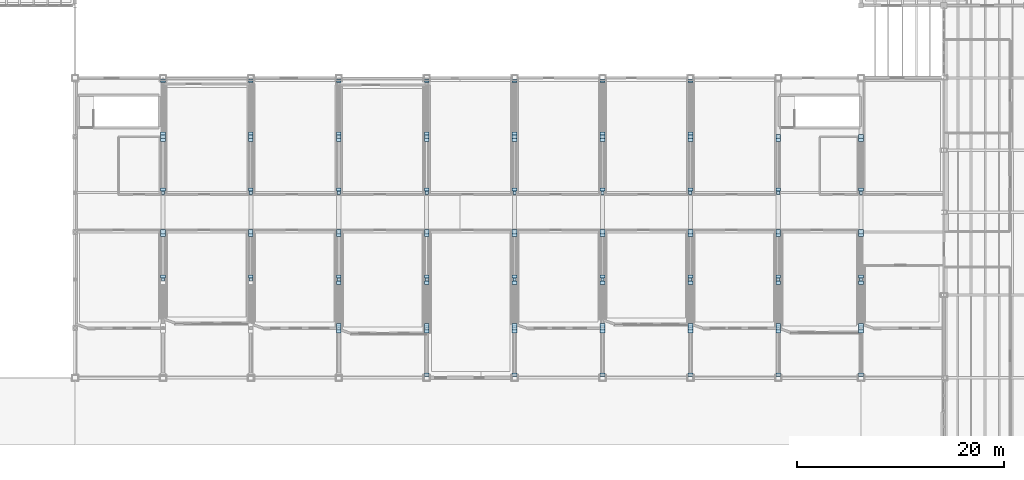
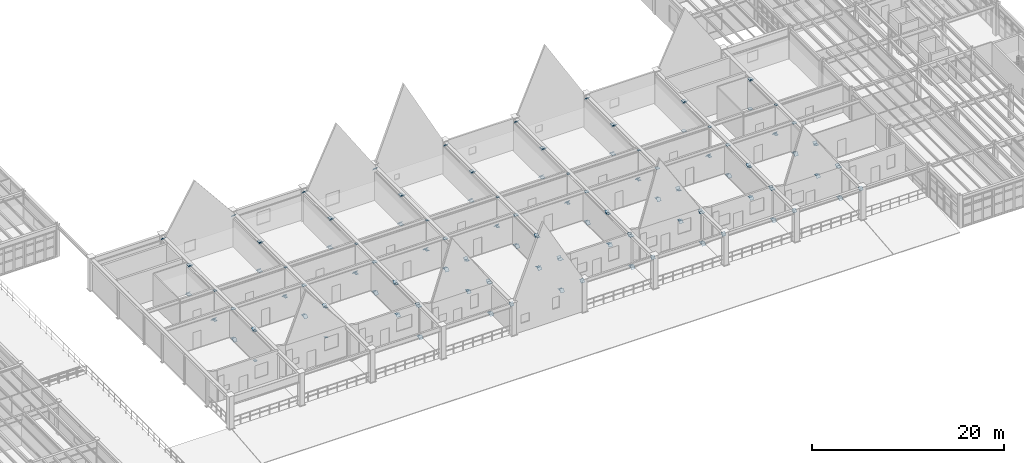
# One storey, part 56 of 78: 163 plates.
"""IFC4 building model written with IfcOpenShell, lengths in metres."""

import ifcopenshell
import ifcopenshell.guid

model = None  # the IFC model being written
_history = None  # IfcOwnerHistory: only IFC2X3 demands one
_inside = {}  # id of a spatial element -> (the spatial element, [elements in it])
_under = {}  # id of a project, library or spatial element -> (it, [spatial elements below it])
_declared = {}  # id of a project -> (the project, [libraries it declares])
_typed = {}  # id of a type object -> (the type object, [elements of that type])
_made_of = {}  # id of a material, layer set ... -> (it, [elements and type objects made of it])


def new_model(schema):
    """Start an empty IFC model of exactly this schema.

    Asked for "IFC4X3", IfcOpenShell would pick the latest addendum, in which some entities
    have other attributes; the version numbers below select the first issue.
    IFC2X3 requires an IfcOwnerHistory on every rooted entity: one is made here for all.
    """
    global model, _history
    if schema == "IFC4X3":
        model = ifcopenshell.file(schema_version=(4, 3, 0, 0))
    else:
        model = ifcopenshell.file(schema=schema)
    _inside.clear()
    _under.clear()
    _declared.clear()
    _typed.clear()
    _made_of.clear()
    _history = None
    if model.schema == "IFC2X3":
        org = make("IfcOrganization", Name="unknown")
        user = make(
            "IfcPersonAndOrganization",
            ThePerson=make("IfcPerson", FamilyName="unknown"),
            TheOrganization=org,
        )
        app = make(
            "IfcApplication",
            ApplicationDeveloper=org,
            Version="unknown",
            ApplicationFullName="unknown",
            ApplicationIdentifier="unknown",
        )
        _history = make(
            "IfcOwnerHistory",
            OwningUser=user,
            OwningApplication=app,
            ChangeAction="ADDED",
            CreationDate=0,
        )
    return model


def make(cls, **values):
    """One entity of the class cls with the attributes given. An attribute that is None is left unset."""
    return model.create_entity(
        cls, **{name: value for name, value in values.items() if value is not None}
    )


def rooted(cls, **values):
    """An entity with a GlobalId (a new one), such as an element, a storey or a relation."""
    return make(cls, GlobalId=ifcopenshell.guid.new(), OwnerHistory=_history, **values)


def si_unit(unit_type, name, prefix=None):
    """IfcSIUnit, for example si_unit("LENGTHUNIT", "METRE", prefix="MILLI")."""
    return make("IfcSIUnit", UnitType=unit_type, Prefix=prefix, Name=name)


def assignment(units):
    """IfcUnitAssignment: the units of a project."""
    return None if units is None else make("IfcUnitAssignment", Units=units)


def point(xyz):
    """IfcCartesianPoint."""
    return None if xyz is None else make("IfcCartesianPoint", Coordinates=xyz)


def direction(xyz):
    """IfcDirection."""
    return None if xyz is None else make("IfcDirection", DirectionRatios=xyz)


def frame(location, z_axis=None, x_axis=None):
    """IfcAxis2Placement3D, a coordinate frame: its origin and axes. An axis left out is left unset."""
    return make(
        "IfcAxis2Placement3D",
        Location=point(location),
        Axis=direction(z_axis),
        RefDirection=direction(x_axis),
    )


def frame_2d(location, x_axis=None):
    """IfcAxis2Placement2D, a coordinate frame in the plane: its origin and x axis."""
    return make(
        "IfcAxis2Placement2D", Location=point(location), RefDirection=direction(x_axis)
    )


def origin():
    """The frame at (0, 0, 0) with its axes left unset."""
    return frame((0.0, 0.0, 0.0))


def origin_2d():
    """The frame at (0, 0) in the plane with its x axis left unset."""
    return frame_2d((0.0, 0.0))


def place(relative_to, where):
    """IfcLocalPlacement: puts the frame where relative to a parent placement (None: the world)."""
    return make(
        "IfcLocalPlacement", PlacementRelTo=relative_to, RelativePlacement=where
    )


def context(
    kind, dimensions, precision=None, world=None, true_north=None, identifier=None
):
    """IfcGeometricRepresentationContext, for example the 3D "Model" context."""
    return make(
        "IfcGeometricRepresentationContext",
        ContextIdentifier=identifier,
        ContextType=kind,
        CoordinateSpaceDimension=dimensions,
        Precision=precision,
        WorldCoordinateSystem=world,
        TrueNorth=true_north,
    )


def subcontext(parent, identifier, kind, view, scale=None):
    """IfcGeometricRepresentationSubContext, for example "Body" below "Model"."""
    return make(
        "IfcGeometricRepresentationSubContext",
        ContextIdentifier=identifier,
        ContextType=kind,
        ParentContext=parent,
        TargetScale=scale,
        TargetView=view,
    )


def project(units=None, contexts=None):
    """IfcProject with its units and contexts."""
    return rooted(
        "IfcProject",
        Name="project",
        RepresentationContexts=contexts,
        UnitsInContext=assignment(units),
    )


def spatial(cls, under=None, at=None, **own):
    """A site, building, storey or space (cls), placed at a placement, below another one or the project."""
    s = rooted(cls, ObjectPlacement=at, **own)
    if under is not None:
        _under.setdefault(under.id(), (under, []))[1].append(s)
    return s


def profile(cls, at=None, kind="AREA", **sizes):
    """A parametric profile (cls). Its sizes go by their IFC names, for example OverallWidth=200.0."""
    return make(cls, ProfileType=kind, Position=at, **sizes)


def rectangle(**sizes):
    """IfcRectangleProfileDef."""
    return profile("IfcRectangleProfileDef", **sizes)


def extrude(swept, where, along, depth):
    """IfcExtrudedAreaSolid: the profile swept, set in the frame where, extruded along a direction by depth."""
    return make(
        "IfcExtrudedAreaSolid",
        SweptArea=swept,
        Position=where,
        ExtrudedDirection=direction(along),
        Depth=depth,
    )


def shape(context_of_items, identifier, shape_type, items):
    """IfcShapeRepresentation: the items that make up one representation, for example the "Body"."""
    return make(
        "IfcShapeRepresentation",
        ContextOfItems=context_of_items,
        RepresentationIdentifier=identifier,
        RepresentationType=shape_type,
        Items=items,
    )


def material(Name=None, Category=None):
    """IfcMaterial."""
    return make("IfcMaterial", Name=Name, Category=Category)


def material_profile(
    of_material, cross_section, Name=None, Category=None, Priority=None
):
    """IfcMaterialProfile: a cross section and its material."""
    return make(
        "IfcMaterialProfile",
        Name=Name,
        Material=of_material,
        Profile=cross_section,
        Priority=Priority,
        Category=Category,
    )


def profile_set(profiles, Name=None, composite=None):
    """IfcMaterialProfileSet."""
    return make(
        "IfcMaterialProfileSet",
        Name=Name,
        MaterialProfiles=profiles,
        CompositeProfile=composite,
    )


def made_of(thing, what):
    """Note that an element or type object is made of a material, layer set ...; save() writes the relation."""
    if what is not None:
        _made_of.setdefault(what.id(), (what, []))[1].append(thing)
    return thing


def type_object(cls, material=None, **own):
    """A type object (cls), such as IfcWallType, which elements share."""
    return made_of(rooted(cls, **own), material)


def element(
    cls,
    number,
    at=None,
    inside=None,
    cuts=None,
    type_object=None,
    material=None,
    context=None,
    identifier="Body",
    shape_type=None,
    held_by="IfcProductDefinitionShape",
    body=None,
    shapes=None,
    **own,
):
    """One element of the class cls, such as IfcWall. Its Tag is "e" and its number.

    at: its placement. inside: the storey or other place that contains it. cuts: it is an
    opening in that element (IfcRelVoidsElement). A single representation is given by context,
    identifier, shape_type and body (its items); several are given by shapes. held_by: the class
    of the entity that holds the representations. save() writes the other relations.
    """
    e = rooted(cls, Tag="e%d" % number, ObjectPlacement=at, **own)
    if body is not None:
        shapes = [shape(context, identifier, shape_type, body)]
    if shapes is not None:
        e.Representation = make(held_by, Representations=shapes)
    if inside is not None:
        _inside.setdefault(inside.id(), (inside, []))[1].append(e)
    if cuts is not None:
        rooted(
            "IfcRelVoidsElement", RelatingBuildingElement=cuts, RelatedOpeningElement=e
        )
    if type_object is not None:
        _typed.setdefault(type_object.id(), (type_object, []))[1].append(e)
    return made_of(e, material)


def aggregate(whole, parts):
    """IfcRelAggregates: a whole, such as a stair, and the parts it consists of."""
    return rooted("IfcRelAggregates", RelatingObject=whole, RelatedObjects=parts)


def save(model, path):
    """Write the relations noted so far, then the file.

    IfcRelAggregates (storeys below a building ...), IfcRelContainedInSpatialStructure (elements
    in a storey), IfcRelDefinesByType, IfcRelAssociatesMaterial and IfcRelDeclares: one each for
    every whole, place, type object, material and project.
    """
    for whole, parts in _under.values():
        aggregate(whole, parts)
    for where, things in _inside.values():
        rooted(
            "IfcRelContainedInSpatialStructure",
            RelatedElements=things,
            RelatingStructure=where,
        )
    for kind, things in _typed.values():
        rooted("IfcRelDefinesByType", RelatedObjects=things, RelatingType=kind)
    for what, things in _made_of.values():
        rooted("IfcRelAssociatesMaterial", RelatedObjects=things, RelatingMaterial=what)
    for by, libraries in _declared.values():
        rooted("IfcRelDeclares", RelatingContext=by, RelatedDefinitions=libraries)
    model.write(path)


model = new_model("IFC4")

# Units and contexts
model_context = context("Model", 3, precision=1e-05, world=origin(), true_north=direction((0.0, 1.0)))
body_context = subcontext(model_context, "Body", "Model", "MODEL_VIEW")
ifc_project = project(units=[si_unit("LENGTHUNIT", "METRE"), si_unit("AREAUNIT", "SQUARE_METRE"), si_unit("VOLUMEUNIT", "CUBIC_METRE"), si_unit("PLANEANGLEUNIT", "RADIAN"), si_unit("MASSUNIT", "GRAM", prefix="KILO"), si_unit("THERMODYNAMICTEMPERATUREUNIT", "KELVIN"), si_unit("POWERUNIT", "WATT")], contexts=[model_context])

# Site, building, storey
site_placement = place(None, origin())
site = spatial("IfcSite", under=ifc_project, at=site_placement, CompositionType="ELEMENT")
building_placement = place(site_placement, origin())
building = spatial("IfcBuilding", under=site, at=building_placement, Name="Zhenchuan Central Fire Station", CompositionType="ELEMENT")
storey_placement = place(building_placement, frame((0.0, 0.0, 5.85009765625)))
storey = spatial("IfcBuildingStorey", under=building, at=storey_placement, Name="L02", CompositionType="ELEMENT", Elevation=5.85009765625)

# Plates
ifc_material = material(Name="Steel Q355B", Category="steel")
ifc_material_profile_1 = material_profile(ifc_material, rectangle(XDim=0.320068359375, YDim=0.320068359375, at=origin_2d()), Name="PL 320x320x20")
ifc_profile_set_1 = profile_set([ifc_material_profile_1], Name="Steel Q355B")
plate_type_1 = type_object("IfcPlateType", Name="PL-CAP20", PredefinedType="SHEET", material=ifc_profile_set_1)
for number, where, z_axis, x_axis, name in (
    (1, (64.5, 16.0, -0.216064453125), (0.0, 0.0, 1.0), (1.0, 0.0, 0.0), "Transfer Truss TT-02 Web Post 2 end cap plate A"),
    (2, (64.5, 16.0, 3.595947265625), (0.0, 0.0, 1.0), (1.0, 0.0, 0.0), "Transfer Truss TT-02 Web Post 2 end cap plate B"),
    (3, (64.5, 24.39990234375, -0.216064453125), (0.0, 0.0, 1.0), (1.0, 0.0, 0.0), "Transfer Truss TT-02 Web Post 4 end cap plate A"),
    (4, (64.5, 24.39990234375, 3.595947265625), (0.0, 0.0, 1.0), (1.0, 0.0, 0.0), "Transfer Truss TT-02 Web Post 4 end cap plate B"),
    (5, (73.0, 16.0, -0.216064453125), (0.0, 0.0, 1.0), (1.0, 0.0, 0.0), "Transfer Truss TT-03 Web Post 2 end cap plate A"),
    (6, (73.0, 16.0, 3.595947265625), (0.0, 0.0, 1.0), (1.0, 0.0, 0.0), "Transfer Truss TT-03 Web Post 2 end cap plate B"),
    (7, (73.0, 24.39990234375, -0.216064453125), (0.0, 0.0, 1.0), (1.0, 0.0, 0.0), "Transfer Truss TT-03 Web Post 4 end cap plate A"),
    (8, (73.0, 24.39990234375, 3.595947265625), (0.0, 0.0, 1.0), (1.0, 0.0, 0.0), "Transfer Truss TT-03 Web Post 4 end cap plate B"),
    (9, (81.5, 16.0, -0.216064453125), (0.0, 0.0, 1.0), (1.0, 0.0, 0.0), "Transfer Truss TT-04 Web Post 2 end cap plate A"),
    (10, (81.5, 16.0, 3.595947265625), (0.0, 0.0, 1.0), (1.0, 0.0, 0.0), "Transfer Truss TT-04 Web Post 2 end cap plate B"),
    (11, (81.5, 24.39990234375, -0.216064453125), (0.0, 0.0, 1.0), (1.0, 0.0, 0.0), "Transfer Truss TT-04 Web Post 4 end cap plate A"),
    (12, (81.5, 24.39990234375, 3.595947265625), (0.0, 0.0, 1.0), (1.0, 0.0, 0.0), "Transfer Truss TT-04 Web Post 4 end cap plate B"),
    (13, (90.0, 16.0, -0.216064453125), (0.0, 0.0, 1.0), (1.0, 0.0, 0.0), "Transfer Truss TT-05 Web Post 2 end cap plate A"),
    (14, (90.0, 16.0, 3.595947265625), (0.0, 0.0, 1.0), (1.0, 0.0, 0.0), "Transfer Truss TT-05 Web Post 2 end cap plate B"),
    (15, (90.0, 24.39990234375, -0.216064453125), (0.0, 0.0, 1.0), (1.0, 0.0, 0.0), "Transfer Truss TT-05 Web Post 4 end cap plate A"),
    (16, (90.0, 24.39990234375, 3.595947265625), (0.0, 0.0, 1.0), (1.0, 0.0, 0.0), "Transfer Truss TT-05 Web Post 4 end cap plate B"),
    (17, (98.5, 16.0, -0.216064453125), (0.0, 0.0, 1.0), (1.0, 0.0, 0.0), "Transfer Truss TT-06 Web Post 2 end cap plate A"),
    (18, (98.5, 16.0, 3.595947265625), (0.0, 0.0, 1.0), (1.0, 0.0, 0.0), "Transfer Truss TT-06 Web Post 2 end cap plate B"),
    (19, (98.5, 24.39990234375, -0.216064453125), (0.0, 0.0, 1.0), (1.0, 0.0, 0.0), "Transfer Truss TT-06 Web Post 4 end cap plate A"),
    (20, (98.5, 24.39990234375, 3.595947265625), (0.0, 0.0, 1.0), (1.0, 0.0, 0.0), "Transfer Truss TT-06 Web Post 4 end cap plate B"),
    (21, (107.0, 16.0, -0.216064453125), (0.0, 0.0, 1.0), (1.0, 0.0, 0.0), "Transfer Truss TT-07 Web Post 2 end cap plate A"),
    (22, (107.0, 16.0, 3.595947265625), (0.0, 0.0, 1.0), (1.0, 0.0, 0.0), "Transfer Truss TT-07 Web Post 2 end cap plate B"),
    (23, (107.0, 24.39990234375, -0.216064453125), (0.0, 0.0, 1.0), (1.0, 0.0, 0.0), "Transfer Truss TT-07 Web Post 4 end cap plate A"),
    (24, (107.0, 24.39990234375, 3.595947265625), (0.0, 0.0, 1.0), (1.0, 0.0, 0.0), "Transfer Truss TT-07 Web Post 4 end cap plate B"),
    (25, (115.5, 16.0, -0.216064453125), (0.0, 0.0, 1.0), (1.0, 0.0, 0.0), "Transfer Truss TT-08 Web Post 2 end cap plate A"),
    (26, (115.5, 16.0, 3.595947265625), (0.0, 0.0, 1.0), (1.0, 0.0, 0.0), "Transfer Truss TT-08 Web Post 2 end cap plate B"),
    (27, (115.5, 24.39990234375, -0.216064453125), (0.0, 0.0, 1.0), (1.0, 0.0, 0.0), "Transfer Truss TT-08 Web Post 4 end cap plate A"),
    (28, (115.5, 24.39990234375, 3.595947265625), (0.0, 0.0, 1.0), (1.0, 0.0, 0.0), "Transfer Truss TT-08 Web Post 4 end cap plate B"),
    (29, (124.0, 16.0, -0.216064453125), (0.0, 0.0, 1.0), (1.0, 0.0, 0.0), "Transfer Truss TT-09 Web Post 2 end cap plate A"),
    (30, (124.0, 16.0, 3.595947265625), (0.0, 0.0, 1.0), (1.0, 0.0, 0.0), "Transfer Truss TT-09 Web Post 2 end cap plate B"),
    (31, (124.0, 24.39990234375, -0.216064453125), (0.0, 0.0, 1.0), (1.0, 0.0, 0.0), "Transfer Truss TT-09 Web Post 4 end cap plate A"),
    (32, (124.0, 24.39990234375, 3.595947265625), (0.0, 0.0, 1.0), (1.0, 0.0, 0.0), "Transfer Truss TT-09 Web Post 4 end cap plate B"),
    (33, (132.0, 16.0, -0.216064453125), (0.0, 0.0, 1.0), (1.0, 0.0, 0.0), "Transfer Truss TT-10 Web Post 2 end cap plate A"),
    (34, (132.0, 16.0, 3.595947265625), (0.0, 0.0, 1.0), (1.0, 0.0, 0.0), "Transfer Truss TT-10 Web Post 2 end cap plate B"),
    (35, (132.0, 24.39990234375, -0.216064453125), (0.0, 0.0, 1.0), (1.0, 0.0, 0.0), "Transfer Truss TT-10 Web Post 4 end cap plate A"),
    (36, (132.0, 24.39990234375, 3.595947265625), (0.0, 0.0, 1.0), (1.0, 0.0, 0.0), "Transfer Truss TT-10 Web Post 4 end cap plate B"),
):
    element("IfcPlate", number, at=place(storey_placement, frame(where, z_axis=z_axis, x_axis=x_axis)), inside=storey, type_object=plate_type_1, Name=name, PredefinedType="SHEET", context=body_context, shape_type="SweptSolid", body=[
        extrude(rectangle(XDim=0.320068359375, YDim=0.320068359375, at=origin_2d()), origin(), (0.0, 0.0, 1.0), 0.02001953125),
    ])
ifc_material_profile_2 = material_profile(ifc_material, rectangle(XDim=0.4599609375, YDim=0.4599609375, at=origin_2d()), Name="PL 460x460x28")
ifc_profile_set_2 = profile_set([ifc_material_profile_2], Name="Steel Q355B")
plate_type_2 = type_object("IfcPlateType", Name="PL-GUS28-INT", PredefinedType="SHEET", material=ifc_profile_set_2)
for number, where, z_axis, x_axis, name in (
    (37, (64.5, 20.60009765625, -0.216064453125), (0.0, 0.0, 1.0), (1.0, 0.0, 0.0), "Transfer Truss TT-02 Web Post 3 end cap plate A"),
    (38, (64.5, 20.60009765625, 3.595947265625), (0.0, 0.0, 1.0), (1.0, 0.0, 0.0), "Transfer Truss TT-02 Web Post 3 end cap plate B"),
    (39, (64.5, 29.800048828125, -0.216064453125), (0.0, 0.0, 1.0), (1.0, 0.0, 0.0), "Transfer Truss TT-02 Web Post 5 end cap plate A"),
    (40, (64.5, 29.800048828125, 3.595947265625), (0.0, 0.0, 1.0), (1.0, 0.0, 0.0), "Transfer Truss TT-02 Web Post 5 end cap plate B"),
    (41, (64.5, 16.288330078125, 3.61083984375), (0.0, 0.731055268243, -0.68231825036), (-1.0, 0.0, 0.0), "Transfer Truss TT-02 Web Diagonal 3 end cap plate A"),
    (42, (64.5, 20.297119140625, -0.197265625), (0.0, 0.719191390085, -0.694812020929), (-1.0, 0.0, 0.0), "Transfer Truss TT-02 Web Diagonal 3 end cap plate B"),
    (43, (64.5, 24.6875, -0.2099609375), (0.0, 0.782059551443, 0.623203705056), (-1.0, 0.0, 0.0), "Transfer Truss TT-02 Web Diagonal 5 end cap plate A"),
    (44, (64.5, 29.496826171875, 3.597412109375), (0.0, 0.782059551443, 0.623203705056), (-1.0, 0.0, 0.0), "Transfer Truss TT-02 Web Diagonal 5 end cap plate B"),
    (45, (64.5, 30.087158203125, -0.209716796875), (0.0, 0.802910201746, 0.596099998266), (-1.0, 0.0, 0.0), "Transfer Truss TT-02 Web Diagonal 6 end cap plate A"),
    (46, (64.5, 35.19677734375, 3.597412109375), (0.0, 0.802910201746, 0.596099998266), (-1.0, 0.0, 0.0), "Transfer Truss TT-02 Web Diagonal 6 end cap plate B"),
    (47, (73.0, 20.60009765625, -0.216064453125), (0.0, 0.0, 1.0), (1.0, 0.0, 0.0), "Transfer Truss TT-03 Web Post 3 end cap plate A"),
    (48, (73.0, 20.60009765625, 3.595947265625), (0.0, 0.0, 1.0), (1.0, 0.0, 0.0), "Transfer Truss TT-03 Web Post 3 end cap plate B"),
    (49, (73.0, 29.800048828125, -0.216064453125), (0.0, 0.0, 1.0), (1.0, 0.0, 0.0), "Transfer Truss TT-03 Web Post 5 end cap plate A"),
    (50, (73.0, 29.800048828125, 3.595947265625), (0.0, 0.0, 1.0), (1.0, 0.0, 0.0), "Transfer Truss TT-03 Web Post 5 end cap plate B"),
    (51, (73.0, 16.288330078125, 3.61083984375), (0.0, 0.731055268243, -0.68231825036), (-1.0, 0.0, 0.0), "Transfer Truss TT-03 Web Diagonal 3 end cap plate A"),
    (52, (73.0, 20.297119140625, -0.197265625), (0.0, 0.719191390085, -0.694812020929), (-1.0, 0.0, 0.0), "Transfer Truss TT-03 Web Diagonal 3 end cap plate B"),
    (53, (73.0, 24.6875, -0.2099609375), (0.0, 0.782059551443, 0.623203705056), (-1.0, 0.0, 0.0), "Transfer Truss TT-03 Web Diagonal 5 end cap plate A"),
    (54, (73.0, 29.496826171875, 3.597412109375), (0.0, 0.782059551443, 0.623203705056), (-1.0, 0.0, 0.0), "Transfer Truss TT-03 Web Diagonal 5 end cap plate B"),
    (55, (73.0, 30.087158203125, -0.209716796875), (0.0, 0.802910201746, 0.596099998266), (-1.0, 0.0, 0.0), "Transfer Truss TT-03 Web Diagonal 6 end cap plate A"),
    (56, (73.0, 35.19677734375, 3.597412109375), (0.0, 0.802910201746, 0.596099998266), (-1.0, 0.0, 0.0), "Transfer Truss TT-03 Web Diagonal 6 end cap plate B"),
    (57, (81.5, 11.300048828125, -0.216064453125), (0.0, 0.0, 1.0), (1.0, 0.0, 0.0), "Transfer Truss TT-04 Web Post 1 end cap plate A"),
    (58, (81.5, 11.300048828125, 3.595947265625), (0.0, 0.0, 1.0), (1.0, 0.0, 0.0), "Transfer Truss TT-04 Web Post 1 end cap plate B"),
    (59, (81.5, 20.60009765625, -0.216064453125), (0.0, 0.0, 1.0), (1.0, 0.0, 0.0), "Transfer Truss TT-04 Web Post 3 end cap plate A"),
    (60, (81.5, 20.60009765625, 3.595947265625), (0.0, 0.0, 1.0), (1.0, 0.0, 0.0), "Transfer Truss TT-04 Web Post 3 end cap plate B"),
    (61, (81.5, 29.800048828125, -0.216064453125), (0.0, 0.0, 1.0), (1.0, 0.0, 0.0), "Transfer Truss TT-04 Web Post 5 end cap plate A"),
    (62, (81.5, 29.800048828125, 3.595947265625), (0.0, 0.0, 1.0), (1.0, 0.0, 0.0), "Transfer Truss TT-04 Web Post 5 end cap plate B"),
    (63, (81.5, 10.9970703125, -0.197509765625), (0.0, 0.742688444175, -0.669637121797), (-1.0, 0.0, 0.0), "Transfer Truss TT-04 Web Diagonal 1 end cap plate B"),
    (64, (81.5, 11.58837890625, 3.61083984375), (0.0, 0.731055268243, -0.68231825036), (-1.0, 0.0, 0.0), "Transfer Truss TT-04 Web Diagonal 2 end cap plate A"),
    (65, (81.5, 15.697021484375, -0.197265625), (0.0, 0.731055268243, -0.68231825036), (-1.0, 0.0, 0.0), "Transfer Truss TT-04 Web Diagonal 2 end cap plate B"),
    (66, (81.5, 16.288330078125, 3.61083984375), (0.0, 0.731055268243, -0.68231825036), (-1.0, 0.0, 0.0), "Transfer Truss TT-04 Web Diagonal 3 end cap plate A"),
    (67, (81.5, 20.297119140625, -0.197265625), (0.0, 0.719191390085, -0.694812020929), (-1.0, 0.0, 0.0), "Transfer Truss TT-04 Web Diagonal 3 end cap plate B"),
    (68, (81.5, 24.6875, -0.2099609375), (0.0, 0.782059551443, 0.623203705056), (-1.0, 0.0, 0.0), "Transfer Truss TT-04 Web Diagonal 5 end cap plate A"),
    (69, (81.5, 29.496826171875, 3.597412109375), (0.0, 0.782059551443, 0.623203705056), (-1.0, 0.0, 0.0), "Transfer Truss TT-04 Web Diagonal 5 end cap plate B"),
    (70, (81.5, 30.087158203125, -0.209716796875), (0.0, 0.802910201746, 0.596099998266), (-1.0, 0.0, 0.0), "Transfer Truss TT-04 Web Diagonal 6 end cap plate A"),
    (71, (81.5, 35.19677734375, 3.597412109375), (0.0, 0.802910201746, 0.596099998266), (-1.0, 0.0, 0.0), "Transfer Truss TT-04 Web Diagonal 6 end cap plate B"),
    (72, (90.0, 11.300048828125, -0.216064453125), (0.0, 0.0, 1.0), (1.0, 0.0, 0.0), "Transfer Truss TT-05 Web Post 1 end cap plate A"),
    (73, (90.0, 11.300048828125, 3.595947265625), (0.0, 0.0, 1.0), (1.0, 0.0, 0.0), "Transfer Truss TT-05 Web Post 1 end cap plate B"),
    (74, (90.0, 20.60009765625, -0.216064453125), (0.0, 0.0, 1.0), (1.0, 0.0, 0.0), "Transfer Truss TT-05 Web Post 3 end cap plate A"),
    (75, (90.0, 20.60009765625, 3.595947265625), (0.0, 0.0, 1.0), (1.0, 0.0, 0.0), "Transfer Truss TT-05 Web Post 3 end cap plate B"),
    (76, (90.0, 29.800048828125, -0.216064453125), (0.0, 0.0, 1.0), (1.0, 0.0, 0.0), "Transfer Truss TT-05 Web Post 5 end cap plate A"),
    (77, (90.0, 29.800048828125, 3.595947265625), (0.0, 0.0, 1.0), (1.0, 0.0, 0.0), "Transfer Truss TT-05 Web Post 5 end cap plate B"),
    (78, (90.0, 6.7880859375, 3.610595703125), (0.0, 0.742688444175, -0.669637121797), (-1.0, 0.0, 0.0), "Transfer Truss TT-05 Web Diagonal 1 end cap plate A"),
    (79, (90.0, 10.9970703125, -0.197509765625), (0.0, 0.742688444175, -0.669637121797), (-1.0, 0.0, 0.0), "Transfer Truss TT-05 Web Diagonal 1 end cap plate B"),
    (80, (90.0, 11.58837890625, 3.61083984375), (0.0, 0.731055268243, -0.68231825036), (-1.0, 0.0, 0.0), "Transfer Truss TT-05 Web Diagonal 2 end cap plate A"),
    (81, (90.0, 15.697021484375, -0.197265625), (0.0, 0.731055268243, -0.68231825036), (-1.0, 0.0, 0.0), "Transfer Truss TT-05 Web Diagonal 2 end cap plate B"),
    (82, (90.0, 16.288330078125, 3.61083984375), (0.0, 0.731055268243, -0.68231825036), (-1.0, 0.0, 0.0), "Transfer Truss TT-05 Web Diagonal 3 end cap plate A"),
    (83, (90.0, 20.297119140625, -0.197265625), (0.0, 0.719191390085, -0.694812020929), (-1.0, 0.0, 0.0), "Transfer Truss TT-05 Web Diagonal 3 end cap plate B"),
    (84, (90.0, 24.6875, -0.2099609375), (0.0, 0.782059551443, 0.623203705056), (-1.0, 0.0, 0.0), "Transfer Truss TT-05 Web Diagonal 5 end cap plate A"),
    (85, (90.0, 29.496826171875, 3.597412109375), (0.0, 0.782059551443, 0.623203705056), (-1.0, 0.0, 0.0), "Transfer Truss TT-05 Web Diagonal 5 end cap plate B"),
    (86, (90.0, 30.087158203125, -0.209716796875), (0.0, 0.802910201746, 0.596099998266), (-1.0, 0.0, 0.0), "Transfer Truss TT-05 Web Diagonal 6 end cap plate A"),
    (87, (90.0, 35.19677734375, 3.597412109375), (0.0, 0.802910201746, 0.596099998266), (-1.0, 0.0, 0.0), "Transfer Truss TT-05 Web Diagonal 6 end cap plate B"),
    (88, (98.5, 11.300048828125, -0.216064453125), (0.0, 0.0, 1.0), (1.0, 0.0, 0.0), "Transfer Truss TT-06 Web Post 1 end cap plate A"),
    (89, (98.5, 11.300048828125, 3.595947265625), (0.0, 0.0, 1.0), (1.0, 0.0, 0.0), "Transfer Truss TT-06 Web Post 1 end cap plate B"),
    (90, (98.5, 20.60009765625, -0.216064453125), (0.0, 0.0, 1.0), (1.0, 0.0, 0.0), "Transfer Truss TT-06 Web Post 3 end cap plate A"),
    (91, (98.5, 20.60009765625, 3.595947265625), (0.0, 0.0, 1.0), (1.0, 0.0, 0.0), "Transfer Truss TT-06 Web Post 3 end cap plate B"),
    (92, (98.5, 29.800048828125, -0.216064453125), (0.0, 0.0, 1.0), (1.0, 0.0, 0.0), "Transfer Truss TT-06 Web Post 5 end cap plate A"),
    (93, (98.5, 29.800048828125, 3.595947265625), (0.0, 0.0, 1.0), (1.0, 0.0, 0.0), "Transfer Truss TT-06 Web Post 5 end cap plate B"),
    (94, (98.5, 6.7880859375, 3.610595703125), (0.0, 0.742688444175, -0.669637121797), (-1.0, 0.0, 0.0), "Transfer Truss TT-06 Web Diagonal 1 end cap plate A"),
    (95, (98.5, 10.9970703125, -0.197509765625), (0.0, 0.742688444175, -0.669637121797), (-1.0, 0.0, 0.0), "Transfer Truss TT-06 Web Diagonal 1 end cap plate B"),
    (96, (98.5, 11.58837890625, 3.61083984375), (0.0, 0.731055268243, -0.68231825036), (-1.0, 0.0, 0.0), "Transfer Truss TT-06 Web Diagonal 2 end cap plate A"),
    (97, (98.5, 15.697021484375, -0.197265625), (0.0, 0.731055268243, -0.68231825036), (-1.0, 0.0, 0.0), "Transfer Truss TT-06 Web Diagonal 2 end cap plate B"),
    (98, (98.5, 16.288330078125, 3.61083984375), (0.0, 0.731055268243, -0.68231825036), (-1.0, 0.0, 0.0), "Transfer Truss TT-06 Web Diagonal 3 end cap plate A"),
    (99, (98.5, 20.297119140625, -0.197265625), (0.0, 0.719191390085, -0.694812020929), (-1.0, 0.0, 0.0), "Transfer Truss TT-06 Web Diagonal 3 end cap plate B"),
    (100, (98.5, 24.6875, -0.2099609375), (0.0, 0.782059551443, 0.623203705056), (-1.0, 0.0, 0.0), "Transfer Truss TT-06 Web Diagonal 5 end cap plate A"),
    (101, (98.5, 29.496826171875, 3.597412109375), (0.0, 0.782059551443, 0.623203705056), (-1.0, 0.0, 0.0), "Transfer Truss TT-06 Web Diagonal 5 end cap plate B"),
    (102, (98.5, 30.087158203125, -0.209716796875), (0.0, 0.802910201746, 0.596099998266), (-1.0, 0.0, 0.0), "Transfer Truss TT-06 Web Diagonal 6 end cap plate A"),
    (103, (98.5, 35.19677734375, 3.597412109375), (0.0, 0.802910201746, 0.596099998266), (-1.0, 0.0, 0.0), "Transfer Truss TT-06 Web Diagonal 6 end cap plate B"),
    (104, (107.0, 11.300048828125, -0.216064453125), (0.0, 0.0, 1.0), (1.0, 0.0, 0.0), "Transfer Truss TT-07 Web Post 1 end cap plate A"),
    (105, (107.0, 11.300048828125, 3.595947265625), (0.0, 0.0, 1.0), (1.0, 0.0, 0.0), "Transfer Truss TT-07 Web Post 1 end cap plate B"),
    (106, (107.0, 20.60009765625, -0.216064453125), (0.0, 0.0, 1.0), (1.0, 0.0, 0.0), "Transfer Truss TT-07 Web Post 3 end cap plate A"),
    (107, (107.0, 20.60009765625, 3.595947265625), (0.0, 0.0, 1.0), (1.0, 0.0, 0.0), "Transfer Truss TT-07 Web Post 3 end cap plate B"),
    (108, (107.0, 29.800048828125, -0.216064453125), (0.0, 0.0, 1.0), (1.0, 0.0, 0.0), "Transfer Truss TT-07 Web Post 5 end cap plate A"),
    (109, (107.0, 29.800048828125, 3.595947265625), (0.0, 0.0, 1.0), (1.0, 0.0, 0.0), "Transfer Truss TT-07 Web Post 5 end cap plate B"),
    (110, (107.0, 6.7880859375, 3.610595703125), (0.0, 0.742688444175, -0.669637121797), (-1.0, 0.0, 0.0), "Transfer Truss TT-07 Web Diagonal 1 end cap plate A"),
    (111, (107.0, 10.9970703125, -0.197509765625), (0.0, 0.742688444175, -0.669637121797), (-1.0, 0.0, 0.0), "Transfer Truss TT-07 Web Diagonal 1 end cap plate B"),
    (112, (107.0, 11.58837890625, 3.61083984375), (0.0, 0.731055268243, -0.68231825036), (-1.0, 0.0, 0.0), "Transfer Truss TT-07 Web Diagonal 2 end cap plate A"),
    (113, (107.0, 15.697021484375, -0.197265625), (0.0, 0.731055268243, -0.68231825036), (-1.0, 0.0, 0.0), "Transfer Truss TT-07 Web Diagonal 2 end cap plate B"),
    (114, (107.0, 16.288330078125, 3.61083984375), (0.0, 0.731055268243, -0.68231825036), (-1.0, 0.0, 0.0), "Transfer Truss TT-07 Web Diagonal 3 end cap plate A"),
    (115, (107.0, 20.297119140625, -0.197265625), (0.0, 0.719191390085, -0.694812020929), (-1.0, 0.0, 0.0), "Transfer Truss TT-07 Web Diagonal 3 end cap plate B"),
    (116, (107.0, 24.6875, -0.2099609375), (0.0, 0.782059551443, 0.623203705056), (-1.0, 0.0, 0.0), "Transfer Truss TT-07 Web Diagonal 5 end cap plate A"),
    (117, (107.0, 29.496826171875, 3.597412109375), (0.0, 0.782059551443, 0.623203705056), (-1.0, 0.0, 0.0), "Transfer Truss TT-07 Web Diagonal 5 end cap plate B"),
    (118, (107.0, 30.087158203125, -0.209716796875), (0.0, 0.802910201746, 0.596099998266), (-1.0, 0.0, 0.0), "Transfer Truss TT-07 Web Diagonal 6 end cap plate A"),
    (119, (107.0, 35.19677734375, 3.597412109375), (0.0, 0.802910201746, 0.596099998266), (-1.0, 0.0, 0.0), "Transfer Truss TT-07 Web Diagonal 6 end cap plate B"),
    (120, (115.5, 11.300048828125, -0.216064453125), (0.0, 0.0, 1.0), (1.0, 0.0, 0.0), "Transfer Truss TT-08 Web Post 1 end cap plate A"),
    (121, (115.5, 11.300048828125, 3.595947265625), (0.0, 0.0, 1.0), (1.0, 0.0, 0.0), "Transfer Truss TT-08 Web Post 1 end cap plate B"),
    (122, (115.5, 20.60009765625, -0.216064453125), (0.0, 0.0, 1.0), (1.0, 0.0, 0.0), "Transfer Truss TT-08 Web Post 3 end cap plate A"),
    (123, (115.5, 20.60009765625, 3.595947265625), (0.0, 0.0, 1.0), (1.0, 0.0, 0.0), "Transfer Truss TT-08 Web Post 3 end cap plate B"),
    (124, (115.5, 29.800048828125, -0.216064453125), (0.0, 0.0, 1.0), (1.0, 0.0, 0.0), "Transfer Truss TT-08 Web Post 5 end cap plate A"),
    (125, (115.5, 29.800048828125, 3.595947265625), (0.0, 0.0, 1.0), (1.0, 0.0, 0.0), "Transfer Truss TT-08 Web Post 5 end cap plate B"),
    (126, (115.5, 6.7880859375, 3.610595703125), (0.0, 0.742688444175, -0.669637121797), (-1.0, 0.0, 0.0), "Transfer Truss TT-08 Web Diagonal 1 end cap plate A"),
    (127, (115.5, 10.9970703125, -0.197509765625), (0.0, 0.742688444175, -0.669637121797), (-1.0, 0.0, 0.0), "Transfer Truss TT-08 Web Diagonal 1 end cap plate B"),
    (128, (115.5, 11.58837890625, 3.61083984375), (0.0, 0.731055268243, -0.68231825036), (-1.0, 0.0, 0.0), "Transfer Truss TT-08 Web Diagonal 2 end cap plate A"),
    (129, (115.5, 15.697021484375, -0.197265625), (0.0, 0.731055268243, -0.68231825036), (-1.0, 0.0, 0.0), "Transfer Truss TT-08 Web Diagonal 2 end cap plate B"),
    (130, (115.5, 16.288330078125, 3.61083984375), (0.0, 0.731055268243, -0.68231825036), (-1.0, 0.0, 0.0), "Transfer Truss TT-08 Web Diagonal 3 end cap plate A"),
    (131, (115.5, 20.297119140625, -0.197265625), (0.0, 0.719191390085, -0.694812020929), (-1.0, 0.0, 0.0), "Transfer Truss TT-08 Web Diagonal 3 end cap plate B"),
    (132, (115.5, 24.6875, -0.2099609375), (0.0, 0.782059551443, 0.623203705056), (-1.0, 0.0, 0.0), "Transfer Truss TT-08 Web Diagonal 5 end cap plate A"),
    (133, (115.5, 29.496826171875, 3.597412109375), (0.0, 0.782059551443, 0.623203705056), (-1.0, 0.0, 0.0), "Transfer Truss TT-08 Web Diagonal 5 end cap plate B"),
    (134, (115.5, 30.087158203125, -0.209716796875), (0.0, 0.802910201746, 0.596099998266), (-1.0, 0.0, 0.0), "Transfer Truss TT-08 Web Diagonal 6 end cap plate A"),
    (135, (115.5, 35.19677734375, 3.597412109375), (0.0, 0.802910201746, 0.596099998266), (-1.0, 0.0, 0.0), "Transfer Truss TT-08 Web Diagonal 6 end cap plate B"),
    (136, (124.0, 11.300048828125, -0.216064453125), (0.0, 0.0, 1.0), (1.0, 0.0, 0.0), "Transfer Truss TT-09 Web Post 1 end cap plate A"),
    (137, (124.0, 11.300048828125, 3.595947265625), (0.0, 0.0, 1.0), (1.0, 0.0, 0.0), "Transfer Truss TT-09 Web Post 1 end cap plate B"),
    (138, (124.0, 20.60009765625, -0.216064453125), (0.0, 0.0, 1.0), (1.0, 0.0, 0.0), "Transfer Truss TT-09 Web Post 3 end cap plate A"),
    (139, (124.0, 20.60009765625, 3.595947265625), (0.0, 0.0, 1.0), (1.0, 0.0, 0.0), "Transfer Truss TT-09 Web Post 3 end cap plate B"),
    (140, (124.0, 29.800048828125, -0.216064453125), (0.0, 0.0, 1.0), (1.0, 0.0, 0.0), "Transfer Truss TT-09 Web Post 5 end cap plate A"),
    (141, (124.0, 29.800048828125, 3.595947265625), (0.0, 0.0, 1.0), (1.0, 0.0, 0.0), "Transfer Truss TT-09 Web Post 5 end cap plate B"),
    (142, (124.0, 6.7880859375, 3.610595703125), (0.0, 0.742688444175, -0.669637121797), (-1.0, 0.0, 0.0), "Transfer Truss TT-09 Web Diagonal 1 end cap plate A"),
    (143, (124.0, 10.9970703125, -0.197509765625), (0.0, 0.742688444175, -0.669637121797), (-1.0, 0.0, 0.0), "Transfer Truss TT-09 Web Diagonal 1 end cap plate B"),
    (144, (124.0, 11.58837890625, 3.61083984375), (0.0, 0.731055268243, -0.68231825036), (-1.0, 0.0, 0.0), "Transfer Truss TT-09 Web Diagonal 2 end cap plate A"),
    (145, (124.0, 15.697021484375, -0.197265625), (0.0, 0.731055268243, -0.68231825036), (-1.0, 0.0, 0.0), "Transfer Truss TT-09 Web Diagonal 2 end cap plate B"),
    (146, (124.0, 16.288330078125, 3.61083984375), (0.0, 0.731055268243, -0.68231825036), (-1.0, 0.0, 0.0), "Transfer Truss TT-09 Web Diagonal 3 end cap plate A"),
    (147, (124.0, 20.297119140625, -0.197265625), (0.0, 0.719191390085, -0.694812020929), (-1.0, 0.0, 0.0), "Transfer Truss TT-09 Web Diagonal 3 end cap plate B"),
    (148, (124.0, 24.6875, -0.2099609375), (0.0, 0.782059551443, 0.623203705056), (-1.0, 0.0, 0.0), "Transfer Truss TT-09 Web Diagonal 5 end cap plate A"),
    (149, (124.0, 29.496826171875, 3.597412109375), (0.0, 0.782059551443, 0.623203705056), (-1.0, 0.0, 0.0), "Transfer Truss TT-09 Web Diagonal 5 end cap plate B"),
    (150, (132.0, 11.300048828125, -0.216064453125), (0.0, 0.0, 1.0), (1.0, 0.0, 0.0), "Transfer Truss TT-10 Web Post 1 end cap plate A"),
    (151, (132.0, 11.300048828125, 3.595947265625), (0.0, 0.0, 1.0), (1.0, 0.0, 0.0), "Transfer Truss TT-10 Web Post 1 end cap plate B"),
    (152, (132.0, 20.60009765625, -0.216064453125), (0.0, 0.0, 1.0), (1.0, 0.0, 0.0), "Transfer Truss TT-10 Web Post 3 end cap plate A"),
    (153, (132.0, 20.60009765625, 3.595947265625), (0.0, 0.0, 1.0), (1.0, 0.0, 0.0), "Transfer Truss TT-10 Web Post 3 end cap plate B"),
    (154, (132.0, 29.800048828125, -0.216064453125), (0.0, 0.0, 1.0), (1.0, 0.0, 0.0), "Transfer Truss TT-10 Web Post 5 end cap plate A"),
    (155, (132.0, 29.800048828125, 3.595947265625), (0.0, 0.0, 1.0), (1.0, 0.0, 0.0), "Transfer Truss TT-10 Web Post 5 end cap plate B"),
    (156, (132.0, 6.7880859375, 3.610595703125), (0.0, 0.742688444175, -0.669637121797), (-1.0, 0.0, 0.0), "Transfer Truss TT-10 Web Diagonal 1 end cap plate A"),
    (157, (132.0, 10.9970703125, -0.197509765625), (0.0, 0.742688444175, -0.669637121797), (-1.0, 0.0, 0.0), "Transfer Truss TT-10 Web Diagonal 1 end cap plate B"),
    (158, (132.0, 11.58837890625, 3.61083984375), (0.0, 0.731055268243, -0.68231825036), (-1.0, 0.0, 0.0), "Transfer Truss TT-10 Web Diagonal 2 end cap plate A"),
    (159, (132.0, 15.697021484375, -0.197265625), (0.0, 0.731055268243, -0.68231825036), (-1.0, 0.0, 0.0), "Transfer Truss TT-10 Web Diagonal 2 end cap plate B"),
    (160, (132.0, 16.288330078125, 3.61083984375), (0.0, 0.731055268243, -0.68231825036), (-1.0, 0.0, 0.0), "Transfer Truss TT-10 Web Diagonal 3 end cap plate A"),
    (161, (132.0, 20.297119140625, -0.197265625), (0.0, 0.719191390085, -0.694812020929), (-1.0, 0.0, 0.0), "Transfer Truss TT-10 Web Diagonal 3 end cap plate B"),
    (162, (132.0, 24.6875, -0.2099609375), (0.0, 0.782059551443, 0.623203705056), (-1.0, 0.0, 0.0), "Transfer Truss TT-10 Web Diagonal 5 end cap plate A"),
    (163, (132.0, 29.496826171875, 3.597412109375), (0.0, 0.782059551443, 0.623203705056), (-1.0, 0.0, 0.0), "Transfer Truss TT-10 Web Diagonal 5 end cap plate B"),
):
    element("IfcPlate", number, at=place(storey_placement, frame(where, z_axis=z_axis, x_axis=x_axis)), inside=storey, type_object=plate_type_2, Name=name, PredefinedType="SHEET", context=body_context, shape_type="SweptSolid", body=[
        extrude(rectangle(XDim=0.4599609375, YDim=0.4599609375, at=origin_2d()), origin(), (0.0, 0.0, 1.0), 0.02001953125),
    ])

save(model, "model.ifc")
